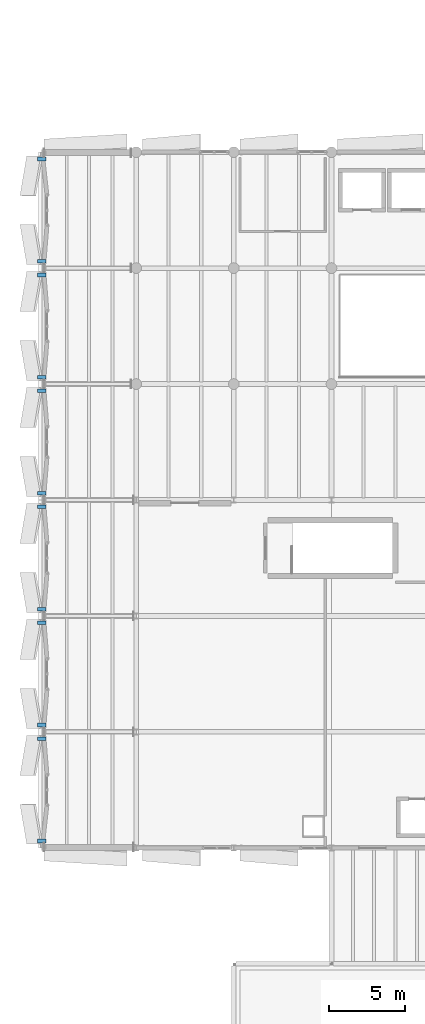
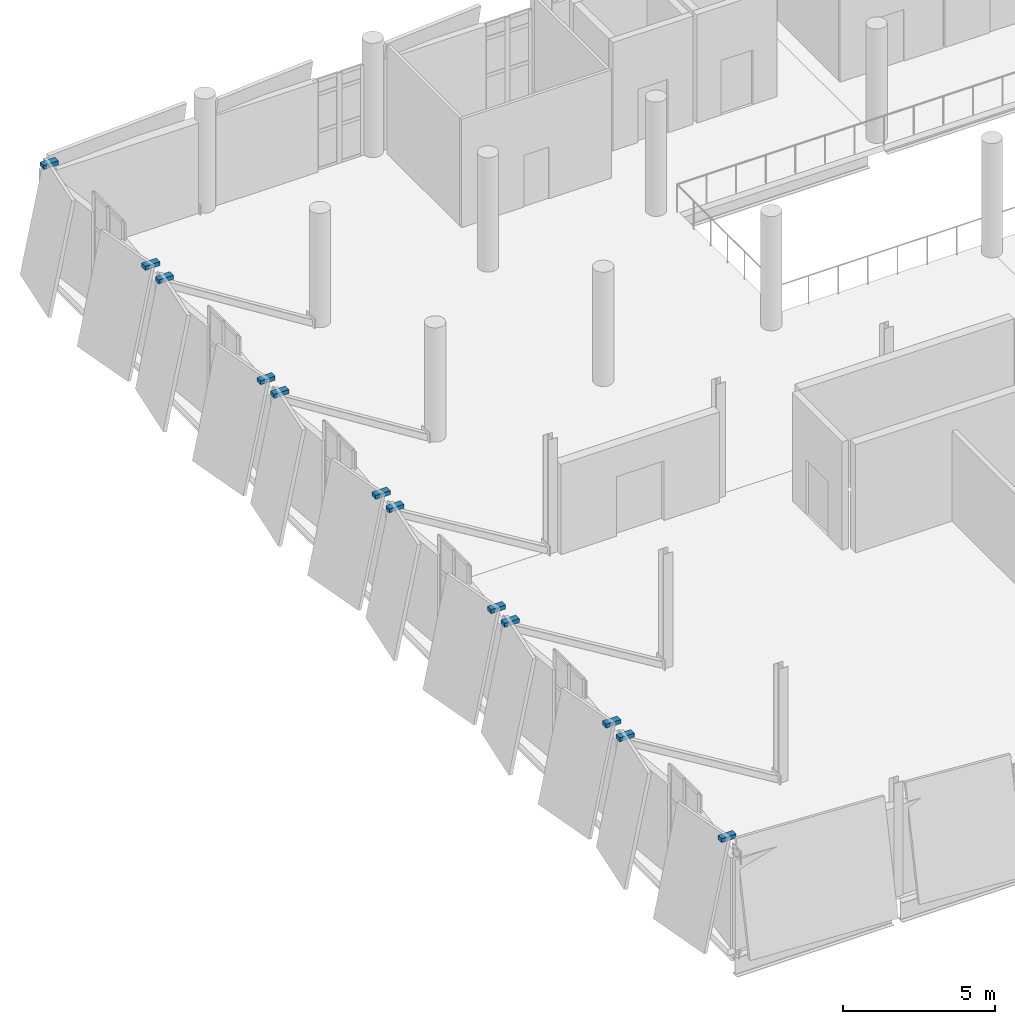
# One storey, part 66 of 74: 12 discrete accessories.
"""IFC4 building model written with IfcOpenShell, lengths in metres."""

from ifc_helpers import new_model, si_unit, direction, frame, origin, origin_2d, place, context, subcontext, project, spatial, rectangle, extrude, material, type_object, element, save


model = new_model("IFC4")

# Units and contexts
model_context = context("Model", 3, precision=1e-05, world=origin(), true_north=direction((0.0, 1.0)))
body_context = subcontext(model_context, "Body", "Model", "MODEL_VIEW")
ifc_project = project(units=[si_unit("LENGTHUNIT", "METRE"), si_unit("AREAUNIT", "SQUARE_METRE"), si_unit("VOLUMEUNIT", "CUBIC_METRE"), si_unit("PLANEANGLEUNIT", "RADIAN"), si_unit("MASSUNIT", "GRAM", prefix="KILO")], contexts=[model_context])

# Site, building, storey
site_placement = place(None, origin())
site = spatial("IfcSite", under=ifc_project, at=site_placement, CompositionType="ELEMENT")
building_placement = place(site_placement, origin())
building = spatial("IfcBuilding", under=site, at=building_placement, Name="Shengluoqiao Park Theatre", CompositionType="ELEMENT")
storey_placement = place(building_placement, frame((0.0, 0.0, 14.60009765625)))
storey = spatial("IfcBuildingStorey", under=building, at=storey_placement, Name="L03", CompositionType="ELEMENT", Elevation=14.60009765625)

# Discrete accessories
ifc_material = material(Name="Stainless steel 316", Category="steel")
discrete_accessory_type = type_object("IfcDiscreteAccessoryType", Name="ENV-ACC-BRK", PredefinedType="BRACKET", material=ifc_material)
for number, where, z_axis, x_axis, name in (
    (1, (0.219970703125, 30.85009765625, 4.1201171875), (0.0, 0.0, 1.0), (1.0, 0.0, 0.0), "V3 L03 Precast Panel Fixing Bracket 047"),
    (2, (0.219970703125, 37.550048828125, 4.1201171875), (0.0, 0.0, 1.0), (1.0, 0.0, 0.0), "V3 L03 Precast Panel Fixing Bracket 048"),
    (3, (0.219970703125, 38.449951171875, 4.1201171875), (0.0, 0.0, 1.0), (1.0, 0.0, 0.0), "V3 L03 Precast Panel Fixing Bracket 049"),
    (4, (0.219970703125, 45.14990234375, 4.1201171875), (0.0, 0.0, 1.0), (1.0, 0.0, 0.0), "V3 L03 Precast Panel Fixing Bracket 050"),
    (5, (0.219970703125, 46.050048828125, 4.1201171875), (0.0, 0.0, 1.0), (1.0, 0.0, 0.0), "V3 L03 Precast Panel Fixing Bracket 051"),
    (6, (0.219970703125, 52.75, 4.1201171875), (0.0, 0.0, 1.0), (1.0, 0.0, 0.0), "V3 L03 Precast Panel Fixing Bracket 052"),
    (7, (0.219970703125, 53.64990234375, 4.1201171875), (0.0, 0.0, 1.0), (1.0, 0.0, 0.0), "V5 L03 Precast Panel Fixing Bracket 053"),
    (8, (0.219970703125, 60.35009765625, 4.1201171875), (0.0, 0.0, 1.0), (1.0, 0.0, 0.0), "V5 L03 Precast Panel Fixing Bracket 054"),
    (9, (0.219970703125, 61.25, 4.1201171875), (0.0, 0.0, 1.0), (1.0, 0.0, 0.0), "V5 L03 Precast Panel Fixing Bracket 055"),
    (10, (0.219970703125, 67.949951171875, 4.1201171875), (0.0, 0.0, 1.0), (1.0, 0.0, 0.0), "V5 L03 Precast Panel Fixing Bracket 056"),
    (11, (0.219970703125, 68.85009765625, 4.1201171875), (0.0, 0.0, 1.0), (1.0, 0.0, 0.0), "V5 L03 Precast Panel Fixing Bracket 057"),
    (12, (0.219970703125, 75.550048828125, 4.1201171875), (0.0, 0.0, 1.0), (1.0, 0.0, 0.0), "V5 L03 Precast Panel Fixing Bracket 058"),
):
    element("IfcDiscreteAccessory", number, at=place(storey_placement, frame(where, z_axis=z_axis, x_axis=x_axis)), inside=storey, type_object=discrete_accessory_type, Name=name, PredefinedType="BRACKET", context=body_context, shape_type="SweptSolid", body=[
        extrude(rectangle(XDim=0.56005859375, YDim=0.239990234375, at=origin_2d()), origin(), (0.0, 0.0, 1.0), 0.159912109375),
    ])

save(model, "model.ifc")
